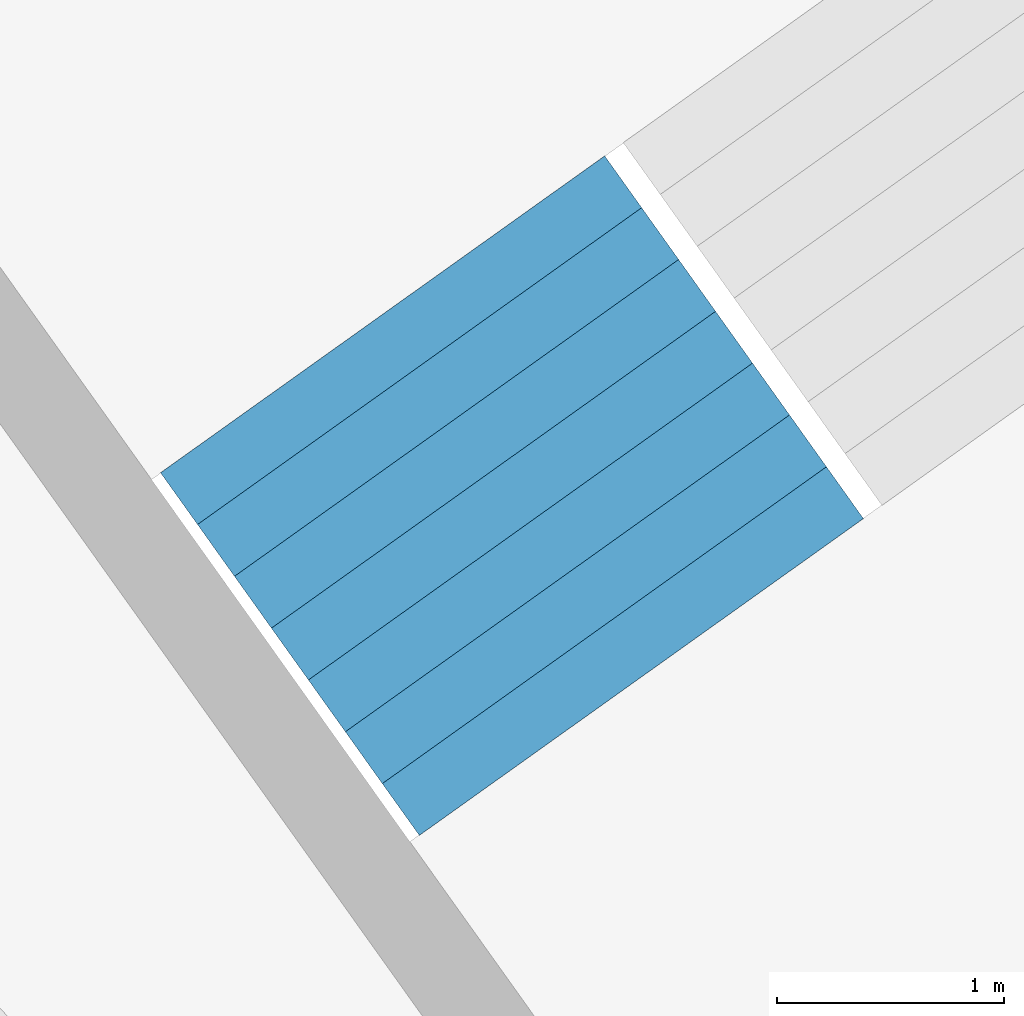
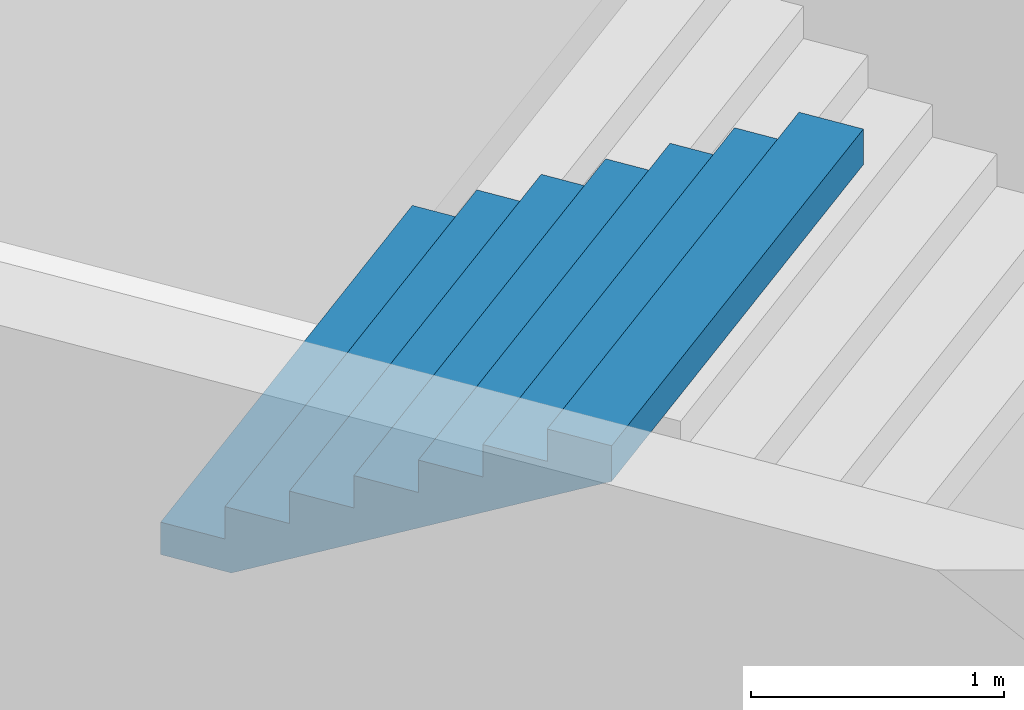
# One storey, part 42 of 73: 1 stair flight, 1 element without a shape of its own.
"""IFC4 building model written with IfcOpenShell, lengths in metres."""

from ifc_helpers import new_model, si_unit, direction, frame, origin, place, context, subcontext, project, spatial, triangles, material, type_object, element, aggregate, save


model = new_model("IFC4")

# Units and contexts
model_context = context("Model", 3, precision=1e-05, world=origin(), true_north=direction((0.0, 1.0)))
body_context = subcontext(model_context, "Body", "Model", "MODEL_VIEW")
ifc_project = project(units=[si_unit("LENGTHUNIT", "METRE"), si_unit("AREAUNIT", "SQUARE_METRE"), si_unit("VOLUMEUNIT", "CUBIC_METRE"), si_unit("PLANEANGLEUNIT", "RADIAN"), si_unit("MASSUNIT", "GRAM", prefix="KILO")], contexts=[model_context])

# Site, building, storey
site_placement = place(None, origin())
site = spatial("IfcSite", under=ifc_project, at=site_placement, CompositionType="ELEMENT")
building_placement = place(site_placement, origin())
building = spatial("IfcBuilding", under=site, at=building_placement, Name="Lantaw Convention Tower", CompositionType="ELEMENT")
storey_placement = place(building_placement, frame((0.0, 0.0, 27.0)))
storey = spatial("IfcBuildingStorey", under=building, at=storey_placement, Name="L04", CompositionType="ELEMENT", Elevation=27.0)

# Stair, stair flight
ifc_material = material(Name="Concrete C35/45", Category="concrete")
stair_type = type_object("IfcStairType", Name="Exit stair 2400 riser 156.25 in 4 flights", PredefinedType="HALF_TURN_STAIR", material=ifc_material)
stair_placement = place(storey_placement, origin())
stair = element("IfcStair", 1, at=stair_placement, inside=storey, type_object=stair_type, Name="Podium exit stair P6 L04", PredefinedType="HALF_TURN_STAIR")
stair_flight_type = type_object("IfcStairFlightType", Name="Stair flight 2400 riser 156.25", PredefinedType="STRAIGHT", material=ifc_material)
stair_flight_placement = place(storey_placement, frame((-20.143798828125, 26.087890625, 3.75), z_axis=(0.0, 0.0, 1.0), x_axis=(0.580702955711, -0.814115518356, 0.0)))
stair_flight = element("IfcStairFlight", 2, at=stair_flight_placement, type_object=stair_flight_type, Name="P6 flight 4", NumberOfRisers=8, NumberOfTreads=7, PredefinedType="STRAIGHT", RiserHeight=0.15625, TreadLength=0.28, context=body_context, shape_type="Tessellation", body=[
    triangles([(0.0, 1.199951171875, 0.0), (0.0, 1.199951171875, 0.15625), (0.28, 1.199951171875, 0.0), (0.28, 1.199951171875, 0.15625), (0.28, 1.199951171875, 0.3125), (0.3076200632058044, 1.199951171875, 0.0), (0.3076200632058044, 1.199951171875, 0.3125), (0.56, 1.199951171875, 0.14083701830033238), (0.56, 1.199951171875, 0.3125), (0.56, 1.199951171875, 0.46875), (0.8400000000000001, 1.199951171875, 0.29708701830033235), (0.8400000000000001, 1.199951171875, 0.46875), (0.8400000000000001, 1.199951171875, 0.625), (1.12, 1.199951171875, 0.45333701830033235), (1.12, 1.199951171875, 0.625), (1.12, 1.199951171875, 0.78125), (1.4000000000000001, 1.199951171875, 0.6095870183003324), (1.4000000000000001, 1.199951171875, 0.78125), (1.4000000000000001, 1.199951171875, 0.9375), (1.6800000000000002, 1.199951171875, 0.7658370183003324), (1.6800000000000002, 1.199951171875, 0.9375), (1.6800000000000002, 1.199951171875, 1.09375), (1.9600000000000002, 1.199951171875, 0.9220870183003324), (1.9600000000000002, 1.199951171875, 1.09375), (0.0, -1.199951171875, 0.0), (0.0, -1.199951171875, 0.15625), (0.28, -1.199951171875, 0.0), (0.28, -1.199951171875, 0.15625), (0.28, -1.199951171875, 0.3125), (0.3076200632058044, -1.199951171875, 0.0), (0.3076200632058044, -1.199951171875, 0.3125), (0.56, -1.199951171875, 0.14083701830033238), (0.56, -1.199951171875, 0.3125), (0.56, -1.199951171875, 0.46875), (0.8400000000000001, -1.199951171875, 0.29708701830033235), (0.8400000000000001, -1.199951171875, 0.46875), (0.8400000000000001, -1.199951171875, 0.625), (1.12, -1.199951171875, 0.45333701830033235), (1.12, -1.199951171875, 0.625), (1.12, -1.199951171875, 0.78125), (1.4000000000000001, -1.199951171875, 0.6095870183003324), (1.4000000000000001, -1.199951171875, 0.78125), (1.4000000000000001, -1.199951171875, 0.9375), (1.6800000000000002, -1.199951171875, 0.7658370183003324), (1.6800000000000002, -1.199951171875, 0.9375), (1.6800000000000002, -1.199951171875, 1.09375), (1.9600000000000002, -1.199951171875, 0.9220870183003324), (1.9600000000000002, -1.199951171875, 1.09375), (0.0, 0.239990234375, 0.15625), (0.0, 0.239990234375, 0.0), (0.0, 0.1919921875, 0.15625), (0.0, 0.1919921875, 0.0), (0.0, 0.143994140625, 0.15625), (0.0, 0.143994140625, 0.0), (0.0, 0.09599609375, 0.15625), (0.0, 0.09599609375, 0.0), (0.0, 0.047998046875, 0.15625), (0.0, 0.047998046875, 0.0), (0.0, 0.0, 0.15625), (0.0, 0.0, 0.0), (0.0, -0.047998046875, 0.15625), (0.0, -0.047998046875, 0.0), (0.0, -0.09599609375, 0.15625), (0.0, -0.09599609375, 0.0), (0.0, -0.143994140625, 0.15625), (0.0, -0.143994140625, 0.0), (0.0, -0.1919921875, 0.15625), (0.0, -0.1919921875, 0.0), (0.0, -0.239990234375, 0.15625), (0.0, -0.239990234375, 0.0), (0.28, 0.239990234375, 0.3125), (0.28, 0.239990234375, 0.15625), (0.28, 0.1919921875, 0.3125), (0.28, 0.1919921875, 0.15625), (0.28, 0.143994140625, 0.3125), (0.28, 0.143994140625, 0.15625), (0.28, 0.09599609375, 0.3125), (0.28, 0.09599609375, 0.15625), (0.28, 0.047998046875, 0.3125), (0.28, 0.047998046875, 0.15625), (0.28, 0.0, 0.3125), (0.28, 0.0, 0.15625), (0.28, -0.047998046875, 0.3125), (0.28, -0.047998046875, 0.15625), (0.28, -0.09599609375, 0.3125), (0.28, -0.09599609375, 0.15625), (0.28, -0.143994140625, 0.3125), (0.28, -0.143994140625, 0.15625), (0.28, -0.1919921875, 0.3125), (0.28, -0.1919921875, 0.15625), (0.28, -0.239990234375, 0.3125), (0.28, -0.239990234375, 0.15625), (0.56, 0.239990234375, 0.46875), (0.56, 0.239990234375, 0.3125), (0.56, 0.1919921875, 0.46875), (0.56, 0.1919921875, 0.3125), (0.56, 0.143994140625, 0.46875), (0.56, 0.143994140625, 0.3125), (0.56, 0.09599609375, 0.46875), (0.56, 0.09599609375, 0.3125), (0.56, 0.047998046875, 0.46875), (0.56, 0.047998046875, 0.3125), (0.56, 0.0, 0.46875), (0.56, 0.0, 0.3125), (0.56, -0.047998046875, 0.46875), (0.56, -0.047998046875, 0.3125), (0.56, -0.09599609375, 0.46875), (0.56, -0.09599609375, 0.3125), (0.56, -0.143994140625, 0.46875), (0.56, -0.143994140625, 0.3125), (0.56, -0.1919921875, 0.46875), (0.56, -0.1919921875, 0.3125), (0.56, -0.239990234375, 0.46875), (0.56, -0.239990234375, 0.3125), (0.8400000000000001, 0.239990234375, 0.625), (0.8400000000000001, 0.239990234375, 0.46875), (0.8400000000000001, 0.1919921875, 0.625), (0.8400000000000001, 0.1919921875, 0.46875), (0.8400000000000001, 0.143994140625, 0.625), (0.8400000000000001, 0.143994140625, 0.46875), (0.8400000000000001, 0.09599609375, 0.625), (0.8400000000000001, 0.09599609375, 0.46875), (0.8400000000000001, 0.047998046875, 0.625), (0.8400000000000001, 0.047998046875, 0.46875), (0.8400000000000001, 0.0, 0.625), (0.8400000000000001, 0.0, 0.46875), (0.8400000000000001, -0.047998046875, 0.625), (0.8400000000000001, -0.047998046875, 0.46875), (0.8400000000000001, -0.09599609375, 0.625), (0.8400000000000001, -0.09599609375, 0.46875), (0.8400000000000001, -0.143994140625, 0.625), (0.8400000000000001, -0.143994140625, 0.46875), (0.8400000000000001, -0.1919921875, 0.625), (0.8400000000000001, -0.1919921875, 0.46875), (0.8400000000000001, -0.239990234375, 0.625), (0.8400000000000001, -0.239990234375, 0.46875), (1.12, 0.239990234375, 0.78125), (1.12, 0.239990234375, 0.625), (1.12, 0.1919921875, 0.78125), (1.12, 0.1919921875, 0.625), (1.12, 0.143994140625, 0.78125), (1.12, 0.143994140625, 0.625), (1.12, 0.09599609375, 0.78125), (1.12, 0.09599609375, 0.625), (1.12, 0.047998046875, 0.78125), (1.12, 0.047998046875, 0.625), (1.12, 0.0, 0.78125), (1.12, 0.0, 0.625), (1.12, -0.047998046875, 0.78125), (1.12, -0.047998046875, 0.625), (1.12, -0.09599609375, 0.78125), (1.12, -0.09599609375, 0.625), (1.12, -0.143994140625, 0.78125), (1.12, -0.143994140625, 0.625), (1.12, -0.1919921875, 0.78125), (1.12, -0.1919921875, 0.625), (1.12, -0.239990234375, 0.78125), (1.12, -0.239990234375, 0.625), (1.4000000000000001, 0.239990234375, 0.9375), (1.4000000000000001, 0.239990234375, 0.78125), (1.4000000000000001, 0.1919921875, 0.9375), (1.4000000000000001, 0.1919921875, 0.78125), (1.4000000000000001, 0.143994140625, 0.9375), (1.4000000000000001, 0.143994140625, 0.78125), (1.4000000000000001, 0.09599609375, 0.9375), (1.4000000000000001, 0.09599609375, 0.78125), (1.4000000000000001, 0.047998046875, 0.9375), (1.4000000000000001, 0.047998046875, 0.78125), (1.4000000000000001, 0.0, 0.9375), (1.4000000000000001, 0.0, 0.78125), (1.4000000000000001, -0.047998046875, 0.9375), (1.4000000000000001, -0.047998046875, 0.78125), (1.4000000000000001, -0.09599609375, 0.9375), (1.4000000000000001, -0.09599609375, 0.78125), (1.4000000000000001, -0.143994140625, 0.9375), (1.4000000000000001, -0.143994140625, 0.78125), (1.4000000000000001, -0.1919921875, 0.9375), (1.4000000000000001, -0.1919921875, 0.78125), (1.4000000000000001, -0.239990234375, 0.9375), (1.4000000000000001, -0.239990234375, 0.78125), (1.6800000000000002, 0.239990234375, 1.09375), (1.6800000000000002, 0.239990234375, 0.9375), (1.6800000000000002, 0.1919921875, 1.09375), (1.6800000000000002, 0.1919921875, 0.9375), (1.6800000000000002, 0.143994140625, 1.09375), (1.6800000000000002, 0.143994140625, 0.9375), (1.6800000000000002, 0.09599609375, 1.09375), (1.6800000000000002, 0.09599609375, 0.9375), (1.6800000000000002, 0.047998046875, 1.09375), (1.6800000000000002, 0.047998046875, 0.9375), (1.6800000000000002, 0.0, 1.09375), (1.6800000000000002, 0.0, 0.9375), (1.6800000000000002, -0.047998046875, 1.09375), (1.6800000000000002, -0.047998046875, 0.9375), (1.6800000000000002, -0.09599609375, 1.09375), (1.6800000000000002, -0.09599609375, 0.9375), (1.6800000000000002, -0.143994140625, 1.09375), (1.6800000000000002, -0.143994140625, 0.9375), (1.6800000000000002, -0.1919921875, 1.09375), (1.6800000000000002, -0.1919921875, 0.9375), (1.6800000000000002, -0.239990234375, 1.09375), (1.6800000000000002, -0.239990234375, 0.9375), (0.3076200632058044, 0.239990234375, 0.3125), (0.3076200632058044, 0.1919921875, 0.3125), (0.3076200632058044, 0.143994140625, 0.3125), (0.3076200632058044, 0.09599609375, 0.3125), (0.3076200632058044, 0.047998046875, 0.3125), (0.3076200632058044, 0.0, 0.3125), (0.3076200632058044, -0.047998046875, 0.3125), (0.3076200632058044, -0.09599609375, 0.3125), (0.3076200632058044, -0.143994140625, 0.3125), (0.3076200632058044, -0.1919921875, 0.3125), (0.3076200632058044, -0.239990234375, 0.3125), (1.9600000000000002, 0.239990234375, 1.09375), (1.9600000000000002, 0.1919921875, 1.09375), (1.9600000000000002, 0.143994140625, 1.09375), (1.9600000000000002, 0.09599609375, 1.09375), (1.9600000000000002, 0.047998046875, 1.09375), (1.9600000000000002, 0.0, 1.09375), (1.9600000000000002, -0.047998046875, 1.09375), (1.9600000000000002, -0.09599609375, 1.09375), (1.9600000000000002, -0.143994140625, 1.09375), (1.9600000000000002, -0.1919921875, 1.09375), (1.9600000000000002, -0.239990234375, 1.09375), (1.9600000000000002, 0.239990234375, 0.9220870183003324), (1.9600000000000002, 0.1919921875, 0.9220870183003324), (1.9600000000000002, 0.143994140625, 0.9220870183003324), (1.9600000000000002, 0.09599609375, 0.9220870183003324), (1.9600000000000002, 0.047998046875, 0.9220870183003324), (1.9600000000000002, 0.0, 0.9220870183003324), (1.9600000000000002, -0.047998046875, 0.9220870183003324), (1.9600000000000002, -0.09599609375, 0.9220870183003324), (1.9600000000000002, -0.143994140625, 0.9220870183003324), (1.9600000000000002, -0.1919921875, 0.9220870183003324), (1.9600000000000002, -0.239990234375, 0.9220870183003324), (1.6800000000000002, 0.239990234375, 0.7658370183003324), (1.6800000000000002, 0.1919921875, 0.7658370183003324), (1.6800000000000002, 0.143994140625, 0.7658370183003324), (1.6800000000000002, 0.09599609375, 0.7658370183003324), (1.6800000000000002, 0.047998046875, 0.7658370183003324), (1.6800000000000002, 0.0, 0.7658370183003324), (1.6800000000000002, -0.047998046875, 0.7658370183003324), (1.6800000000000002, -0.09599609375, 0.7658370183003324), (1.6800000000000002, -0.143994140625, 0.7658370183003324), (1.6800000000000002, -0.1919921875, 0.7658370183003324), (1.6800000000000002, -0.239990234375, 0.7658370183003324), (1.4000000000000001, 0.239990234375, 0.6095870183003324), (1.4000000000000001, 0.1919921875, 0.6095870183003324), (1.4000000000000001, 0.143994140625, 0.6095870183003324), (1.4000000000000001, 0.09599609375, 0.6095870183003324), (1.4000000000000001, 0.047998046875, 0.6095870183003324), (1.4000000000000001, 0.0, 0.6095870183003324), (1.4000000000000001, -0.047998046875, 0.6095870183003324), (1.4000000000000001, -0.09599609375, 0.6095870183003324), (1.4000000000000001, -0.143994140625, 0.6095870183003324), (1.4000000000000001, -0.1919921875, 0.6095870183003324), (1.4000000000000001, -0.239990234375, 0.6095870183003324), (1.12, 0.239990234375, 0.45333701830033235), (1.12, 0.1919921875, 0.45333701830033235), (1.12, 0.143994140625, 0.45333701830033235), (1.12, 0.09599609375, 0.45333701830033235), (1.12, 0.047998046875, 0.45333701830033235), (1.12, 0.0, 0.45333701830033235), (1.12, -0.047998046875, 0.45333701830033235), (1.12, -0.09599609375, 0.45333701830033235), (1.12, -0.143994140625, 0.45333701830033235), (1.12, -0.1919921875, 0.45333701830033235), (1.12, -0.239990234375, 0.45333701830033235), (0.8400000000000001, 0.239990234375, 0.29708701830033235), (0.8400000000000001, 0.1919921875, 0.29708701830033235), (0.8400000000000001, 0.143994140625, 0.29708701830033235), (0.8400000000000001, 0.09599609375, 0.29708701830033235), (0.8400000000000001, 0.047998046875, 0.29708701830033235), (0.8400000000000001, 0.0, 0.29708701830033235), (0.8400000000000001, -0.047998046875, 0.29708701830033235), (0.8400000000000001, -0.09599609375, 0.29708701830033235), (0.8400000000000001, -0.143994140625, 0.29708701830033235), (0.8400000000000001, -0.1919921875, 0.29708701830033235), (0.8400000000000001, -0.239990234375, 0.29708701830033235), (0.56, 0.239990234375, 0.14083701830033238), (0.56, 0.1919921875, 0.14083701830033238), (0.56, 0.143994140625, 0.14083701830033238), (0.56, 0.09599609375, 0.14083701830033238), (0.56, 0.047998046875, 0.14083701830033238), (0.56, 0.0, 0.14083701830033238), (0.56, -0.047998046875, 0.14083701830033238), (0.56, -0.09599609375, 0.14083701830033238), (0.56, -0.143994140625, 0.14083701830033238), (0.56, -0.1919921875, 0.14083701830033238), (0.56, -0.239990234375, 0.14083701830033238), (0.3076200632058044, 0.239990234375, 0.0), (0.3076200632058044, 0.1919921875, 0.0), (0.3076200632058044, 0.143994140625, 0.0), (0.3076200632058044, 0.09599609375, 0.0), (0.3076200632058044, 0.047998046875, 0.0), (0.3076200632058044, 0.0, 0.0), (0.3076200632058044, -0.047998046875, 0.0), (0.3076200632058044, -0.09599609375, 0.0), (0.3076200632058044, -0.143994140625, 0.0), (0.3076200632058044, -0.1919921875, 0.0), (0.3076200632058044, -0.239990234375, 0.0), (0.28, 0.239990234375, 0.0), (0.28, 0.1919921875, 0.0), (0.28, 0.143994140625, 0.0), (0.28, 0.09599609375, 0.0), (0.28, 0.047998046875, 0.0), (0.28, 0.0, 0.0), (0.28, -0.047998046875, 0.0), (0.28, -0.09599609375, 0.0), (0.28, -0.143994140625, 0.0), (0.28, -0.1919921875, 0.0), (0.28, -0.239990234375, 0.0)], [[1, 4, 3], [1, 2, 4], [3, 4, 6], [4, 7, 6], [4, 5, 7], [6, 9, 8], [6, 7, 9], [8, 9, 11], [9, 12, 11], [9, 10, 12], [11, 12, 14], [12, 15, 14], [12, 13, 15], [14, 15, 17], [15, 18, 17], [15, 16, 18], [17, 18, 20], [18, 21, 20], [18, 19, 21], [20, 21, 23], [21, 24, 23], [21, 22, 24], [25, 27, 28], [25, 28, 26], [27, 30, 28], [28, 30, 31], [28, 31, 29], [30, 32, 33], [30, 33, 31], [32, 35, 33], [33, 35, 36], [33, 36, 34], [35, 38, 36], [36, 38, 39], [36, 39, 37], [38, 41, 39], [39, 41, 42], [39, 42, 40], [41, 44, 42], [42, 44, 45], [42, 45, 43], [44, 47, 45], [45, 47, 48], [45, 48, 46], [1, 49, 2], [1, 50, 49], [50, 51, 49], [50, 52, 51], [52, 53, 51], [52, 54, 53], [54, 55, 53], [54, 56, 55], [56, 57, 55], [56, 58, 57], [58, 59, 57], [58, 60, 59], [60, 61, 59], [60, 62, 61], [62, 63, 61], [62, 64, 63], [64, 65, 63], [64, 66, 65], [66, 67, 65], [66, 68, 67], [68, 69, 67], [68, 70, 69], [70, 26, 69], [70, 25, 26], [4, 71, 5], [4, 72, 71], [72, 73, 71], [72, 74, 73], [74, 75, 73], [74, 76, 75], [76, 77, 75], [76, 78, 77], [78, 79, 77], [78, 80, 79], [80, 81, 79], [80, 82, 81], [82, 83, 81], [82, 84, 83], [84, 85, 83], [84, 86, 85], [86, 87, 85], [86, 88, 87], [88, 89, 87], [88, 90, 89], [90, 91, 89], [90, 92, 91], [92, 29, 91], [92, 28, 29], [9, 93, 10], [9, 94, 93], [94, 95, 93], [94, 96, 95], [96, 97, 95], [96, 98, 97], [98, 99, 97], [98, 100, 99], [100, 101, 99], [100, 102, 101], [102, 103, 101], [102, 104, 103], [104, 105, 103], [104, 106, 105], [106, 107, 105], [106, 108, 107], [108, 109, 107], [108, 110, 109], [110, 111, 109], [110, 112, 111], [112, 113, 111], [112, 114, 113], [114, 34, 113], [114, 33, 34], [12, 115, 13], [12, 116, 115], [116, 117, 115], [116, 118, 117], [118, 119, 117], [118, 120, 119], [120, 121, 119], [120, 122, 121], [122, 123, 121], [122, 124, 123], [124, 125, 123], [124, 126, 125], [126, 127, 125], [126, 128, 127], [128, 129, 127], [128, 130, 129], [130, 131, 129], [130, 132, 131], [132, 133, 131], [132, 134, 133], [134, 135, 133], [134, 136, 135], [136, 37, 135], [136, 36, 37], [15, 137, 16], [15, 138, 137], [138, 139, 137], [138, 140, 139], [140, 141, 139], [140, 142, 141], [142, 143, 141], [142, 144, 143], [144, 145, 143], [144, 146, 145], [146, 147, 145], [146, 148, 147], [148, 149, 147], [148, 150, 149], [150, 151, 149], [150, 152, 151], [152, 153, 151], [152, 154, 153], [154, 155, 153], [154, 156, 155], [156, 157, 155], [156, 158, 157], [158, 40, 157], [158, 39, 40], [18, 159, 19], [18, 160, 159], [160, 161, 159], [160, 162, 161], [162, 163, 161], [162, 164, 163], [164, 165, 163], [164, 166, 165], [166, 167, 165], [166, 168, 167], [168, 169, 167], [168, 170, 169], [170, 171, 169], [170, 172, 171], [172, 173, 171], [172, 174, 173], [174, 175, 173], [174, 176, 175], [176, 177, 175], [176, 178, 177], [178, 179, 177], [178, 180, 179], [180, 43, 179], [180, 42, 43], [21, 181, 22], [21, 182, 181], [182, 183, 181], [182, 184, 183], [184, 185, 183], [184, 186, 185], [186, 187, 185], [186, 188, 187], [188, 189, 187], [188, 190, 189], [190, 191, 189], [190, 192, 191], [192, 193, 191], [192, 194, 193], [194, 195, 193], [194, 196, 195], [196, 197, 195], [196, 198, 197], [198, 199, 197], [198, 200, 199], [200, 201, 199], [200, 202, 201], [202, 46, 201], [202, 45, 46], [2, 72, 4], [2, 49, 72], [49, 74, 72], [49, 51, 74], [51, 76, 74], [51, 53, 76], [53, 78, 76], [53, 55, 78], [55, 80, 78], [55, 57, 80], [57, 82, 80], [57, 59, 82], [59, 84, 82], [59, 61, 84], [61, 86, 84], [61, 63, 86], [63, 88, 86], [63, 65, 88], [65, 90, 88], [65, 67, 90], [67, 92, 90], [67, 69, 92], [69, 28, 92], [69, 26, 28], [5, 203, 7], [5, 71, 203], [71, 204, 203], [71, 73, 204], [73, 205, 204], [73, 75, 205], [75, 206, 205], [75, 77, 206], [77, 207, 206], [77, 79, 207], [79, 208, 207], [79, 81, 208], [81, 209, 208], [81, 83, 209], [83, 210, 209], [83, 85, 210], [85, 211, 210], [85, 87, 211], [87, 212, 211], [87, 89, 212], [89, 213, 212], [89, 91, 213], [91, 31, 213], [91, 29, 31], [7, 94, 9], [7, 203, 94], [203, 96, 94], [203, 204, 96], [204, 98, 96], [204, 205, 98], [205, 100, 98], [205, 206, 100], [206, 102, 100], [206, 207, 102], [207, 104, 102], [207, 208, 104], [208, 106, 104], [208, 209, 106], [209, 108, 106], [209, 210, 108], [210, 110, 108], [210, 211, 110], [211, 112, 110], [211, 212, 112], [212, 114, 112], [212, 213, 114], [213, 33, 114], [213, 31, 33], [10, 116, 12], [10, 93, 116], [93, 118, 116], [93, 95, 118], [95, 120, 118], [95, 97, 120], [97, 122, 120], [97, 99, 122], [99, 124, 122], [99, 101, 124], [101, 126, 124], [101, 103, 126], [103, 128, 126], [103, 105, 128], [105, 130, 128], [105, 107, 130], [107, 132, 130], [107, 109, 132], [109, 134, 132], [109, 111, 134], [111, 136, 134], [111, 113, 136], [113, 36, 136], [113, 34, 36], [13, 138, 15], [13, 115, 138], [115, 140, 138], [115, 117, 140], [117, 142, 140], [117, 119, 142], [119, 144, 142], [119, 121, 144], [121, 146, 144], [121, 123, 146], [123, 148, 146], [123, 125, 148], [125, 150, 148], [125, 127, 150], [127, 152, 150], [127, 129, 152], [129, 154, 152], [129, 131, 154], [131, 156, 154], [131, 133, 156], [133, 158, 156], [133, 135, 158], [135, 39, 158], [135, 37, 39], [16, 160, 18], [16, 137, 160], [137, 162, 160], [137, 139, 162], [139, 164, 162], [139, 141, 164], [141, 166, 164], [141, 143, 166], [143, 168, 166], [143, 145, 168], [145, 170, 168], [145, 147, 170], [147, 172, 170], [147, 149, 172], [149, 174, 172], [149, 151, 174], [151, 176, 174], [151, 153, 176], [153, 178, 176], [153, 155, 178], [155, 180, 178], [155, 157, 180], [157, 42, 180], [157, 40, 42], [19, 182, 21], [19, 159, 182], [159, 184, 182], [159, 161, 184], [161, 186, 184], [161, 163, 186], [163, 188, 186], [163, 165, 188], [165, 190, 188], [165, 167, 190], [167, 192, 190], [167, 169, 192], [169, 194, 192], [169, 171, 194], [171, 196, 194], [171, 173, 196], [173, 198, 196], [173, 175, 198], [175, 200, 198], [175, 177, 200], [177, 202, 200], [177, 179, 202], [179, 45, 202], [179, 43, 45], [22, 214, 24], [22, 181, 214], [181, 215, 214], [181, 183, 215], [183, 216, 215], [183, 185, 216], [185, 217, 216], [185, 187, 217], [187, 218, 217], [187, 189, 218], [189, 219, 218], [189, 191, 219], [191, 220, 219], [191, 193, 220], [193, 221, 220], [193, 195, 221], [195, 222, 221], [195, 197, 222], [197, 223, 222], [197, 199, 223], [199, 224, 223], [199, 201, 224], [201, 48, 224], [201, 46, 48], [24, 225, 23], [24, 214, 225], [214, 226, 225], [214, 215, 226], [215, 227, 226], [215, 216, 227], [216, 228, 227], [216, 217, 228], [217, 229, 228], [217, 218, 229], [218, 230, 229], [218, 219, 230], [219, 231, 230], [219, 220, 231], [220, 232, 231], [220, 221, 232], [221, 233, 232], [221, 222, 233], [222, 234, 233], [222, 223, 234], [223, 235, 234], [223, 224, 235], [224, 47, 235], [224, 48, 47], [23, 236, 20], [23, 225, 236], [225, 237, 236], [225, 226, 237], [226, 238, 237], [226, 227, 238], [227, 239, 238], [227, 228, 239], [228, 240, 239], [228, 229, 240], [229, 241, 240], [229, 230, 241], [230, 242, 241], [230, 231, 242], [231, 243, 242], [231, 232, 243], [232, 244, 243], [232, 233, 244], [233, 245, 244], [233, 234, 245], [234, 246, 245], [234, 235, 246], [235, 44, 246], [235, 47, 44], [20, 247, 17], [20, 236, 247], [236, 248, 247], [236, 237, 248], [237, 249, 248], [237, 238, 249], [238, 250, 249], [238, 239, 250], [239, 251, 250], [239, 240, 251], [240, 252, 251], [240, 241, 252], [241, 253, 252], [241, 242, 253], [242, 254, 253], [242, 243, 254], [243, 255, 254], [243, 244, 255], [244, 256, 255], [244, 245, 256], [245, 257, 256], [245, 246, 257], [246, 41, 257], [246, 44, 41], [17, 258, 14], [17, 247, 258], [247, 259, 258], [247, 248, 259], [248, 260, 259], [248, 249, 260], [249, 261, 260], [249, 250, 261], [250, 262, 261], [250, 251, 262], [251, 263, 262], [251, 252, 263], [252, 264, 263], [252, 253, 264], [253, 265, 264], [253, 254, 265], [254, 266, 265], [254, 255, 266], [255, 267, 266], [255, 256, 267], [256, 268, 267], [256, 257, 268], [257, 38, 268], [257, 41, 38], [14, 269, 11], [14, 258, 269], [258, 270, 269], [258, 259, 270], [259, 271, 270], [259, 260, 271], [260, 272, 271], [260, 261, 272], [261, 273, 272], [261, 262, 273], [262, 274, 273], [262, 263, 274], [263, 275, 274], [263, 264, 275], [264, 276, 275], [264, 265, 276], [265, 277, 276], [265, 266, 277], [266, 278, 277], [266, 267, 278], [267, 279, 278], [267, 268, 279], [268, 35, 279], [268, 38, 35], [11, 280, 8], [11, 269, 280], [269, 281, 280], [269, 270, 281], [270, 282, 281], [270, 271, 282], [271, 283, 282], [271, 272, 283], [272, 284, 283], [272, 273, 284], [273, 285, 284], [273, 274, 285], [274, 286, 285], [274, 275, 286], [275, 287, 286], [275, 276, 287], [276, 288, 287], [276, 277, 288], [277, 289, 288], [277, 278, 289], [278, 290, 289], [278, 279, 290], [279, 32, 290], [279, 35, 32], [8, 291, 6], [8, 280, 291], [280, 292, 291], [280, 281, 292], [281, 293, 292], [281, 282, 293], [282, 294, 293], [282, 283, 294], [283, 295, 294], [283, 284, 295], [284, 296, 295], [284, 285, 296], [285, 297, 296], [285, 286, 297], [286, 298, 297], [286, 287, 298], [287, 299, 298], [287, 288, 299], [288, 300, 299], [288, 289, 300], [289, 301, 300], [289, 290, 301], [290, 30, 301], [290, 32, 30], [6, 302, 3], [6, 291, 302], [291, 303, 302], [291, 292, 303], [292, 304, 303], [292, 293, 304], [293, 305, 304], [293, 294, 305], [294, 306, 305], [294, 295, 306], [295, 307, 306], [295, 296, 307], [296, 308, 307], [296, 297, 308], [297, 309, 308], [297, 298, 309], [298, 310, 309], [298, 299, 310], [299, 311, 310], [299, 300, 311], [300, 312, 311], [300, 301, 312], [301, 27, 312], [301, 30, 27], [3, 50, 1], [3, 302, 50], [302, 52, 50], [302, 303, 52], [303, 54, 52], [303, 304, 54], [304, 56, 54], [304, 305, 56], [305, 58, 56], [305, 306, 58], [306, 60, 58], [306, 307, 60], [307, 62, 60], [307, 308, 62], [308, 64, 62], [308, 309, 64], [309, 66, 64], [309, 310, 66], [310, 68, 66], [310, 311, 68], [311, 70, 68], [311, 312, 70], [312, 25, 70], [312, 27, 25]], closed=True),
])
aggregate(stair, [stair_flight])

save(model, "model.ifc")
